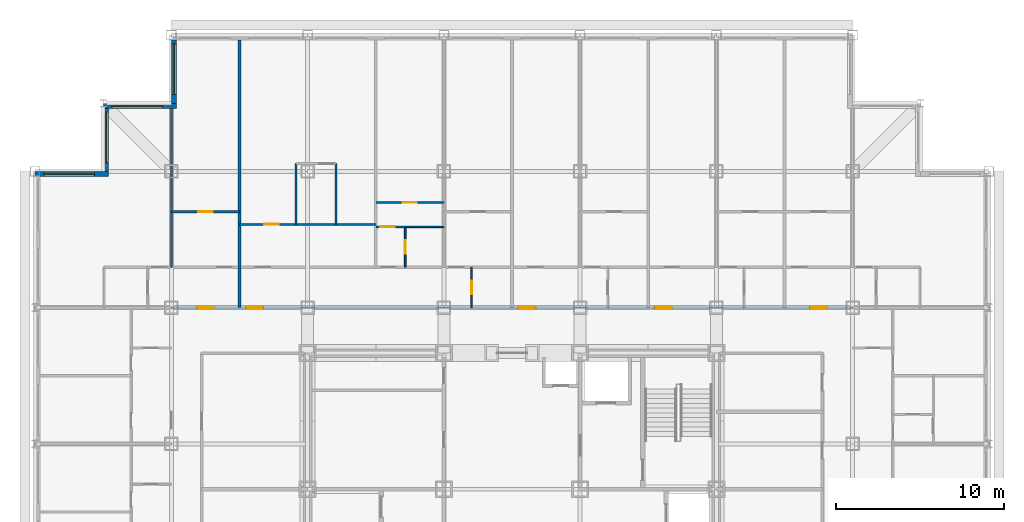
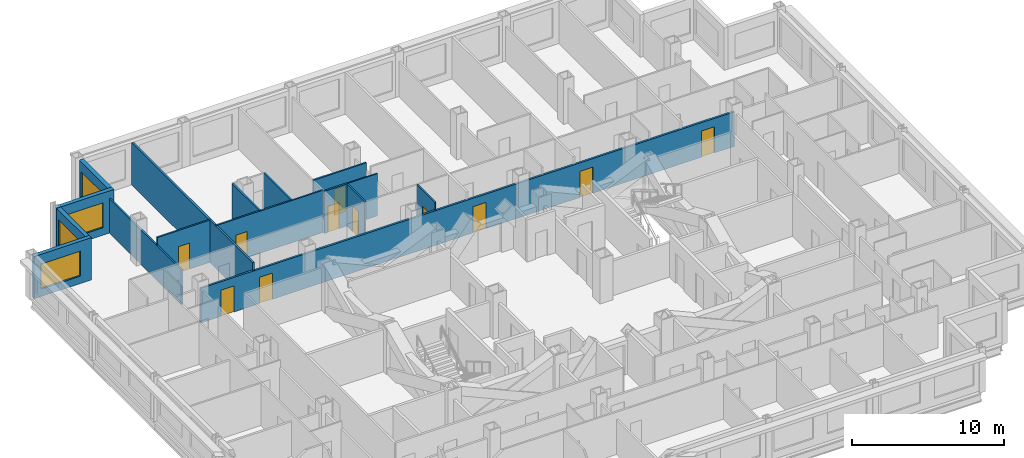
# One storey, part 9 of 12: 16 walls, 11 doors, 4 windows, 15 openings.
"""IFC4 building model written with IfcOpenShell, lengths in metres."""

from ifc_helpers import new_model, si_unit, direction, frame, frame_2d, origin, place, context, subcontext, project, spatial, rectangle, extrude, material, layer, layer_set, type_object, element, fill, save


model = new_model("IFC4")

# Units and contexts
model_context = context("Model", 3, precision=1e-05, world=origin(), true_north=direction((0.0, 1.0)))
body_context = subcontext(model_context, "Body", "Model", "MODEL_VIEW")
ifc_project = project(units=[si_unit("LENGTHUNIT", "METRE"), si_unit("AREAUNIT", "SQUARE_METRE"), si_unit("VOLUMEUNIT", "CUBIC_METRE"), si_unit("PLANEANGLEUNIT", "RADIAN"), si_unit("MASSUNIT", "GRAM", prefix="KILO")], contexts=[model_context])

# Site, building, storey
site_placement = place(None, origin())
site = spatial("IfcSite", under=ifc_project, at=site_placement, CompositionType="ELEMENT")
building_placement = place(site_placement, origin())
building = spatial("IfcBuilding", under=site, at=building_placement, Name="Kopane Lantern Tower", CompositionType="ELEMENT")
storey_placement = place(building_placement, frame((0.0, 0.0, 195.60009765625)))
storey = spatial("IfcBuildingStorey", under=building, at=storey_placement, Name="L50", CompositionType="ELEMENT", Elevation=195.60009765625)

# Wall
ifc_material_1 = material(Name="Gypsum board on steel studs", Category="steel")
ifc_layer_1 = layer(ifc_material_1, 0.1201171875)
ifc_layer_set_1 = layer_set([ifc_layer_1], Name="APARTMENT INTERNAL WALL 120")
wall_type_1 = type_object("IfcWallType", Name="APARTMENT INTERNAL WALL 120", PredefinedType="PARTITIONING", material=ifc_layer_set_1)
wall_1_placement = place(storey_placement, frame((8.10009765625, 45.60009765625, 0.0), z_axis=(0.0, 0.0, 1.0), x_axis=(0.0, 1.0, 0.0)))
element("IfcWall", 1, at=wall_1_placement, inside=storey, type_object=wall_type_1, Name="Apartment Internal Wall 120 L50", PredefinedType="PARTITIONING", context=body_context, shape_type="SweptSolid", body=[
    extrude(rectangle(XDim=9.449951171875, YDim=0.1201171875, at=frame_2d((4.72509765625, 0.0))), origin(), (0.0, 0.0, 1.0), 2.777587890625),
])

# Wall, opening, door
wall_2_placement = place(storey_placement, frame((20.25, 48.0, 0.0), z_axis=(0.0, 0.0, 1.0), x_axis=(1.0, 0.0, 0.0)))
wall_2 = element("IfcWall", 2, at=wall_2_placement, inside=storey, type_object=wall_type_1, Name="Apartment Internal Wall 120 L50", PredefinedType="PARTITIONING", context=body_context, shape_type="SweptSolid", body=[
    extrude(rectangle(XDim=1.760009765625, YDim=0.1201171875, at=frame_2d((0.8798828125, 0.0))), origin(), (0.0, 0.0, 1.0), 3.389892578125),
])
opening_1_placement = place(wall_2_placement, frame((0.27490234375, 0.0, 0.0)))
opening_1 = element("IfcOpeningElement", 3, at=opening_1_placement, cuts=wall_2, Name="Opening L50-076", PredefinedType="OPENING", context=body_context, shape_type="SweptSolid", body=[
    extrude(rectangle(XDim=0.85009765625, YDim=2.10009765625, at=frame_2d((0.425048828125, 1.050048828125))), frame((0.0, 0.070068359375, 0.0), z_axis=(0.0, -1.0, 0.0), x_axis=(1.0, 0.0, 0.0)), (0.0, 0.0, 1.0), 0.14013671875),
])
ifc_material_2 = material(Name="Timber door set", Category="wood")
door_type_1 = type_object("IfcDoorType", Name="DOOR D4 850x2100", OperationType="SINGLE_SWING_LEFT", PredefinedType="DOOR", material=ifc_material_2)
door_1_placement = place(opening_1_placement, origin())
door_1 = element("IfcDoor", 4, at=door_1_placement, inside=storey, type_object=door_type_1, Name="Door L50-076", OperationType="SINGLE_SWING_LEFT", OverallHeight=2.10009765625, OverallWidth=0.85009765625, PredefinedType="DOOR", context=body_context, shape_type="SweptSolid", body=[
    extrude(rectangle(XDim=0.85009765625, YDim=2.10009765625, at=frame_2d((0.425048828125, 1.050048828125))), frame((0.0, 0.02490234375, 0.0), z_axis=(0.0, -1.0, 0.0), x_axis=(1.0, 0.0, 0.0)), (0.0, 0.0, 1.0), 0.050048828125),
])
fill(opening_1, door_1)

wall_3_placement = place(storey_placement, frame((12.14990234375, 48.14990234375, 0.0), z_axis=(0.0, 0.0, 1.0), x_axis=(1.0, 0.0, 0.0)))
wall_3 = element("IfcWall", 5, at=wall_3_placement, inside=storey, type_object=wall_type_1, Name="Apartment Internal Wall 120 L50", PredefinedType="PARTITIONING", context=body_context, shape_type="SweptSolid", body=[
    extrude(rectangle(XDim=8.10009765625, YDim=0.1201171875, at=frame_2d((4.050048828125, 0.0))), origin(), (0.0, 0.0, 1.0), 3.389892578125),
])
opening_2_placement = place(wall_3_placement, frame((1.47509765625, 0.0, 0.0)))
opening_2 = element("IfcOpeningElement", 6, at=opening_2_placement, cuts=wall_3, Name="Opening L50-078", PredefinedType="OPENING", context=body_context, shape_type="SweptSolid", body=[
    extrude(rectangle(XDim=0.85009765625, YDim=2.10009765625, at=frame_2d((0.425048828125, 1.050048828125))), frame((0.0, 0.070068359375, 0.0), z_axis=(0.0, -1.0, 0.0), x_axis=(1.0, 0.0, 0.0)), (0.0, 0.0, 1.0), 0.14013671875),
])
door_2_placement = place(opening_2_placement, origin())
door_2 = element("IfcDoor", 7, at=door_2_placement, inside=storey, type_object=door_type_1, Name="Door L50-078", OperationType="SINGLE_SWING_LEFT", OverallHeight=2.10009765625, OverallWidth=0.85009765625, PredefinedType="DOOR", context=body_context, shape_type="SweptSolid", body=[
    extrude(rectangle(XDim=0.85009765625, YDim=2.10009765625, at=frame_2d((0.425048828125, 1.050048828125))), frame((0.0, 0.02490234375, 0.0), z_axis=(0.0, -1.0, 0.0), x_axis=(1.0, 0.0, 0.0)), (0.0, 0.0, 1.0), 0.050048828125),
])
fill(opening_2, door_2)

wall_4_placement = place(storey_placement, frame((20.25, 49.449951171875, 0.0), z_axis=(0.0, 0.0, 1.0), x_axis=(1.0, 0.0, 0.0)))
wall_4 = element("IfcWall", 8, at=wall_4_placement, inside=storey, type_object=wall_type_1, Name="Apartment Internal Wall 120 L50", PredefinedType="PARTITIONING", context=body_context, shape_type="SweptSolid", body=[
    extrude(rectangle(XDim=4.050048828125, YDim=0.1201171875, at=frame_2d((2.02490234375, 0.0))), origin(), (0.0, 0.0, 1.0), 3.389892578125),
])
opening_3_placement = place(wall_4_placement, frame((1.60009765625, 0.0, 0.0)))
opening_3 = element("IfcOpeningElement", 9, at=opening_3_placement, cuts=wall_4, Name="Opening L50-079", PredefinedType="OPENING", context=body_context, shape_type="SweptSolid", body=[
    extrude(rectangle(XDim=0.85009765625, YDim=2.10009765625, at=frame_2d((0.425048828125, 1.050048828125))), frame((0.0, 0.070068359375, 0.0), z_axis=(0.0, -1.0, 0.0), x_axis=(1.0, 0.0, 0.0)), (0.0, 0.0, 1.0), 0.14013671875),
])
door_3_placement = place(opening_3_placement, origin())
door_3 = element("IfcDoor", 10, at=door_3_placement, inside=storey, type_object=door_type_1, Name="Door L50-079", OperationType="SINGLE_SWING_RIGHT", OverallHeight=2.10009765625, OverallWidth=0.85009765625, PredefinedType="DOOR", context=body_context, shape_type="SweptSolid", body=[
    extrude(rectangle(XDim=0.85009765625, YDim=2.10009765625, at=frame_2d((0.425048828125, 1.050048828125))), frame((0.0, 0.02490234375, 0.0), z_axis=(0.0, -1.0, 0.0), x_axis=(1.0, 0.0, 0.0)), (0.0, 0.0, 1.0), 0.050048828125),
])
fill(opening_3, door_3)

wall_5_placement = place(storey_placement, frame((8.10009765625, 48.89990234375, 0.0), z_axis=(0.0, 0.0, 1.0), x_axis=(1.0, 0.0, 0.0)))
wall_5 = element("IfcWall", 11, at=wall_5_placement, inside=storey, type_object=wall_type_1, Name="Apartment Internal Wall 120 L50", PredefinedType="PARTITIONING", context=body_context, shape_type="SweptSolid", body=[
    extrude(rectangle(XDim=4.0498046875, YDim=0.1201171875, at=frame_2d((2.02490234375, 0.0))), origin(), (0.0, 0.0, 1.0), 3.389892578125),
])
opening_4_placement = place(wall_5_placement, frame((1.60009765625, 0.0, 0.0)))
opening_4 = element("IfcOpeningElement", 12, at=opening_4_placement, cuts=wall_5, Name="Opening L50-084", PredefinedType="OPENING", context=body_context, shape_type="SweptSolid", body=[
    extrude(rectangle(XDim=0.85009765625, YDim=2.10009765625, at=frame_2d((0.425048828125, 1.050048828125))), frame((0.0, 0.070068359375, 0.0), z_axis=(0.0, -1.0, 0.0), x_axis=(1.0, 0.0, 0.0)), (0.0, 0.0, 1.0), 0.14013671875),
])
door_4_placement = place(opening_4_placement, origin())
door_4 = element("IfcDoor", 13, at=door_4_placement, inside=storey, type_object=door_type_1, Name="Door L50-084", OperationType="SINGLE_SWING_RIGHT", OverallHeight=2.10009765625, OverallWidth=0.85009765625, PredefinedType="DOOR", context=body_context, shape_type="SweptSolid", body=[
    extrude(rectangle(XDim=0.85009765625, YDim=2.10009765625, at=frame_2d((0.425048828125, 1.050048828125))), frame((0.0, 0.02490234375, 0.0), z_axis=(0.0, -1.0, 0.0), x_axis=(1.0, 0.0, 0.0)), (0.0, 0.0, 1.0), 0.050048828125),
])
fill(opening_4, door_4)

# Walls
for number, where, z_axis, x_axis, name in (
    (14, (15.5, 48.14990234375, 0.0), (0.0, 0.0, 1.0), (0.0, 1.0, 0.0), "Apartment Internal Wall 120 L50"),
    (15, (17.89990234375, 48.14990234375, 0.0), (0.0, 0.0, 1.0), (0.0, 1.0, 0.0), "Apartment Internal Wall 120 L50"),
):
    element("IfcWall", number, at=place(storey_placement, frame(where, z_axis=z_axis, x_axis=x_axis)), inside=storey, type_object=wall_type_1, Name=name, PredefinedType="PARTITIONING", context=body_context, shape_type="SweptSolid", body=[
        extrude(rectangle(XDim=3.610107421875, YDim=0.1201171875, at=frame_2d((1.80517578125, 0.0))), origin(), (0.0, 0.0, 1.0), 3.389892578125),
    ])

# Wall, opening, door
ifc_material_3 = material(Name="Moisture-resistant board on steel studs", Category="steel")
ifc_layer_2 = layer(ifc_material_3, 0.10009765625)
ifc_layer_set_2 = layer_set([ifc_layer_2], Name="BATHROOM WALL 100")
wall_type_2 = type_object("IfcWallType", Name="BATHROOM WALL 100", PredefinedType="PARTITIONING", material=ifc_layer_set_2)
wall_6_placement = place(storey_placement, frame((25.949951171875, 43.199951171875, 0.0), z_axis=(0.0, 0.0, 1.0), x_axis=(0.0, 1.0, 0.0)))
wall_6 = element("IfcWall", 16, at=wall_6_placement, inside=storey, type_object=wall_type_2, Name="Bathroom Wall 100 L50", PredefinedType="PARTITIONING", context=body_context, shape_type="SweptSolid", body=[
    extrude(rectangle(XDim=2.400146484375, YDim=0.10009765625, at=frame_2d((1.2001953125, 0.0))), origin(), (0.0, 0.0, 1.0), 3.389892578125),
])
opening_5_placement = place(wall_6_placement, frame((0.800048828125, 0.0, 0.0)))
opening_5 = element("IfcOpeningElement", 17, at=opening_5_placement, cuts=wall_6, Name="Opening L50-026", PredefinedType="OPENING", context=body_context, shape_type="SweptSolid", body=[
    extrude(rectangle(XDim=0.800048828125, YDim=2.10009765625, at=frame_2d((0.39990234375, 1.050048828125))), frame((0.0, 0.06005859375, 0.0), z_axis=(0.0, -1.0, 0.0), x_axis=(1.0, 0.0, 0.0)), (0.0, 0.0, 1.0), 0.1201171875),
])
ifc_material_4 = material(Name="Timber door set", Category="wood")
door_type_2 = type_object("IfcDoorType", Name="DOOR D2 800x2100", OperationType="SINGLE_SWING_LEFT", PredefinedType="DOOR", material=ifc_material_4)
door_5_placement = place(opening_5_placement, origin())
door_5 = element("IfcDoor", 18, at=door_5_placement, inside=storey, type_object=door_type_2, Name="Door L50-026", OperationType="SINGLE_SWING_RIGHT", OverallHeight=2.10009765625, OverallWidth=0.800048828125, PredefinedType="DOOR", context=body_context, shape_type="SweptSolid", body=[
    extrude(rectangle(XDim=0.800048828125, YDim=2.10009765625, at=frame_2d((0.39990234375, 1.050048828125))), frame((0.0, 0.02490234375, 0.0), z_axis=(0.0, -1.0, 0.0), x_axis=(1.0, 0.0, 0.0)), (0.0, 0.0, 1.0), 0.050048828125),
])
fill(opening_5, door_5)

wall_7_placement = place(storey_placement, frame((22.0, 45.60009765625, 0.0), z_axis=(0.0, 0.0, 1.0), x_axis=(0.0, 1.0, 0.0)))
wall_7 = element("IfcWall", 19, at=wall_7_placement, inside=storey, type_object=wall_type_2, Name="Bathroom Wall 100 L50", PredefinedType="PARTITIONING", context=body_context, shape_type="SweptSolid", body=[
    extrude(rectangle(XDim=2.39990234375, YDim=0.10009765625, at=frame_2d((1.199951171875, 0.0))), origin(), (0.0, 0.0, 1.0), 3.389892578125),
])
opening_6_placement = place(wall_7_placement, frame((0.800048828125, 0.0, 0.0)))
opening_6 = element("IfcOpeningElement", 20, at=opening_6_placement, cuts=wall_7, Name="Opening L50-029", PredefinedType="OPENING", context=body_context, shape_type="SweptSolid", body=[
    extrude(rectangle(XDim=0.800048828125, YDim=2.10009765625, at=frame_2d((0.39990234375, 1.050048828125))), frame((0.0, 0.06005859375, 0.0), z_axis=(0.0, -1.0, 0.0), x_axis=(1.0, 0.0, 0.0)), (0.0, 0.0, 1.0), 0.1201171875),
])
door_6_placement = place(opening_6_placement, origin())
door_6 = element("IfcDoor", 21, at=door_6_placement, inside=storey, type_object=door_type_2, Name="Door L50-029", OperationType="SINGLE_SWING_RIGHT", OverallHeight=2.10009765625, OverallWidth=0.800048828125, PredefinedType="DOOR", context=body_context, shape_type="SweptSolid", body=[
    extrude(rectangle(XDim=0.800048828125, YDim=2.10009765625, at=frame_2d((0.39990234375, 1.050048828125))), frame((0.0, 0.02490234375, 0.0), z_axis=(0.0, -1.0, 0.0), x_axis=(1.0, 0.0, 0.0)), (0.0, 0.0, 1.0), 0.050048828125),
])
fill(opening_6, door_6)

# Wall
wall_8_placement = place(storey_placement, frame((22.0, 48.0, 0.0), z_axis=(0.0, 0.0, 1.0), x_axis=(1.0, 0.0, 0.0)))
element("IfcWall", 22, at=wall_8_placement, inside=storey, type_object=wall_type_2, Name="Bathroom Wall 100 L50", PredefinedType="PARTITIONING", context=body_context, shape_type="SweptSolid", body=[
    extrude(rectangle(XDim=2.300048828125, YDim=0.10009765625, at=frame_2d((1.14990234375, 0.0))), origin(), (0.0, 0.0, 1.0), 3.389892578125),
])

# Wall, openings, doors
ifc_material_5 = material(Name="Gypsum board on steel studs", Category="steel")
ifc_layer_3 = layer(ifc_material_5, 0.14990234375)
ifc_layer_set_3 = layer_set([ifc_layer_3], Name="CORRIDOR WALL 150 EI 60")
wall_type_3 = type_object("IfcWallType", Name="CORRIDOR WALL 150 EI 60", PredefinedType="PARTITIONING", material=ifc_layer_set_3)
wall_9_placement = place(storey_placement, frame((8.10009765625, 43.199951171875, 0.0), z_axis=(0.0, 0.0, 1.0), x_axis=(1.0, 0.0, 0.0)))
wall_9 = element("IfcWall", 23, at=wall_9_placement, inside=storey, type_object=wall_type_3, Name="Corridor Wall 150 Ei 60 L50", PredefinedType="PARTITIONING", context=body_context, shape_type="SweptSolid", body=[
    extrude(rectangle(XDim=40.5, YDim=0.14990234375, at=frame_2d((20.25, 0.0))), origin(), (0.0, 0.0, 1.0), 2.777587890625),
])
opening_7_placement = place(wall_9_placement, frame((4.449951171875, 0.0, 0.0)))
opening_7 = element("IfcOpeningElement", 24, at=opening_7_placement, cuts=wall_9, Name="Opening L50-027", PredefinedType="OPENING", context=body_context, shape_type="SweptSolid", body=[
    extrude(rectangle(XDim=1.0, YDim=2.10009765625, at=frame_2d((0.5, 1.050048828125))), frame((0.0, 0.0849609375, 0.0), z_axis=(0.0, -1.0, 0.0), x_axis=(1.0, 0.0, 0.0)), (0.0, 0.0, 1.0), 0.169921875),
])
opening_8_placement = place(wall_9_placement, frame((20.64990234375, 0.0, 0.0)))
opening_8 = element("IfcOpeningElement", 25, at=opening_8_placement, cuts=wall_9, Name="Opening L50-033", PredefinedType="OPENING", context=body_context, shape_type="SweptSolid", body=[
    extrude(rectangle(XDim=1.0, YDim=2.10009765625, at=frame_2d((0.5, 1.050048828125))), frame((0.0, 0.0849609375, 0.0), z_axis=(0.0, -1.0, 0.0), x_axis=(1.0, 0.0, 0.0)), (0.0, 0.0, 1.0), 0.169921875),
])
opening_9_placement = place(wall_9_placement, frame((28.75, 0.0, 0.0)))
opening_9 = element("IfcOpeningElement", 26, at=opening_9_placement, cuts=wall_9, Name="Opening L50-037", PredefinedType="OPENING", context=body_context, shape_type="SweptSolid", body=[
    extrude(rectangle(XDim=1.0, YDim=2.10009765625, at=frame_2d((0.5, 1.050048828125))), frame((0.0, 0.0849609375, 0.0), z_axis=(0.0, -1.0, 0.0), x_axis=(1.0, 0.0, 0.0)), (0.0, 0.0, 1.0), 0.169921875),
])
opening_10_placement = place(wall_9_placement, frame((37.97509765625, 0.0, 0.0)))
opening_10 = element("IfcOpeningElement", 27, at=opening_10_placement, cuts=wall_9, Name="Opening L50-068", PredefinedType="OPENING", context=body_context, shape_type="SweptSolid", body=[
    extrude(rectangle(XDim=1.0, YDim=2.10009765625, at=frame_2d((0.5, 1.050048828125))), frame((0.0, 0.0849609375, 0.0), z_axis=(0.0, -1.0, 0.0), x_axis=(1.0, 0.0, 0.0)), (0.0, 0.0, 1.0), 0.169921875),
])
opening_11_placement = place(wall_9_placement, frame((1.52490234375, 0.0, 0.0)))
opening_11 = element("IfcOpeningElement", 28, at=opening_11_placement, cuts=wall_9, Name="Opening L50-072", PredefinedType="OPENING", context=body_context, shape_type="SweptSolid", body=[
    extrude(rectangle(XDim=1.0, YDim=2.10009765625, at=frame_2d((0.5, 1.050048828125))), frame((0.0, 0.0849609375, 0.0), z_axis=(0.0, -1.0, 0.0), x_axis=(1.0, 0.0, 0.0)), (0.0, 0.0, 1.0), 0.169921875),
])
ifc_material_6 = material(Name="Steel door set", Category="steel")
door_type_3 = type_object("IfcDoorType", Name="DOOR D3 1000x2100 FD30S", OperationType="SINGLE_SWING_LEFT", PredefinedType="DOOR", material=ifc_material_6)
door_7_placement = place(opening_7_placement, origin())
door_7 = element("IfcDoor", 29, at=door_7_placement, inside=storey, type_object=door_type_3, Name="Door L50-027", OperationType="SINGLE_SWING_LEFT", OverallHeight=2.10009765625, OverallWidth=1.0, PredefinedType="DOOR", context=body_context, shape_type="SweptSolid", body=[
    extrude(rectangle(XDim=1.0, YDim=2.10009765625, at=frame_2d((0.5, 1.050048828125))), frame((0.0, 0.02490234375, 0.0), z_axis=(0.0, -1.0, 0.0), x_axis=(1.0, 0.0, 0.0)), (0.0, 0.0, 1.0), 0.050048828125),
])
fill(opening_7, door_7)
door_8_placement = place(opening_8_placement, origin())
door_8 = element("IfcDoor", 30, at=door_8_placement, inside=storey, type_object=door_type_3, Name="Door L50-033", OperationType="SINGLE_SWING_LEFT", OverallHeight=2.10009765625, OverallWidth=1.0, PredefinedType="DOOR", context=body_context, shape_type="SweptSolid", body=[
    extrude(rectangle(XDim=1.0, YDim=2.10009765625, at=frame_2d((0.5, 1.050048828125))), frame((0.0, 0.02490234375, 0.0), z_axis=(0.0, -1.0, 0.0), x_axis=(1.0, 0.0, 0.0)), (0.0, 0.0, 1.0), 0.050048828125),
])
fill(opening_8, door_8)
door_9_placement = place(opening_9_placement, origin())
door_9 = element("IfcDoor", 31, at=door_9_placement, inside=storey, type_object=door_type_3, Name="Door L50-037", OperationType="SINGLE_SWING_LEFT", OverallHeight=2.10009765625, OverallWidth=1.0, PredefinedType="DOOR", context=body_context, shape_type="SweptSolid", body=[
    extrude(rectangle(XDim=1.0, YDim=2.10009765625, at=frame_2d((0.5, 1.050048828125))), frame((0.0, 0.02490234375, 0.0), z_axis=(0.0, -1.0, 0.0), x_axis=(1.0, 0.0, 0.0)), (0.0, 0.0, 1.0), 0.050048828125),
])
fill(opening_9, door_9)
door_10_placement = place(opening_10_placement, origin())
door_10 = element("IfcDoor", 32, at=door_10_placement, inside=storey, type_object=door_type_3, Name="Door L50-068", OperationType="SINGLE_SWING_LEFT", OverallHeight=2.10009765625, OverallWidth=1.0, PredefinedType="DOOR", context=body_context, shape_type="SweptSolid", body=[
    extrude(rectangle(XDim=1.0, YDim=2.10009765625, at=frame_2d((0.5, 1.050048828125))), frame((0.0, 0.02490234375, 0.0), z_axis=(0.0, -1.0, 0.0), x_axis=(1.0, 0.0, 0.0)), (0.0, 0.0, 1.0), 0.050048828125),
])
fill(opening_10, door_10)
door_11_placement = place(opening_11_placement, origin())
door_11 = element("IfcDoor", 33, at=door_11_placement, inside=storey, type_object=door_type_3, Name="Door L50-072", OperationType="SINGLE_SWING_RIGHT", OverallHeight=2.10009765625, OverallWidth=1.0, PredefinedType="DOOR", context=body_context, shape_type="SweptSolid", body=[
    extrude(rectangle(XDim=1.0, YDim=2.10009765625, at=frame_2d((0.5, 1.050048828125))), frame((0.0, 0.02490234375, 0.0), z_axis=(0.0, -1.0, 0.0), x_axis=(1.0, 0.0, 0.0)), (0.0, 0.0, 1.0), 0.050048828125),
])
fill(opening_11, door_11)

# Wall
ifc_material_7 = material(Name="Gypsum board on steel studs", Category="steel")
ifc_layer_4 = layer(ifc_material_7, 0.14990234375)
ifc_layer_set_4 = layer_set([ifc_layer_4], Name="DEMISING WALL 150 EI 60")
wall_type_4 = type_object("IfcWallType", Name="DEMISING WALL 150 EI 60", PredefinedType="PARTITIONING", material=ifc_layer_set_4)
wall_10_placement = place(storey_placement, frame((12.14990234375, 43.199951171875, 0.0), z_axis=(0.0, 0.0, 1.0), x_axis=(0.0, 1.0, 0.0)))
element("IfcWall", 34, at=wall_10_placement, inside=storey, type_object=wall_type_4, Name="Demising Wall 150 Ei 60 L50", PredefinedType="PARTITIONING", context=body_context, shape_type="SweptSolid", body=[
    extrude(rectangle(XDim=15.900146484375, YDim=0.14990234375, at=frame_2d((7.9501953125, 0.0))), origin(), (0.0, 0.0, 1.0), 3.389892578125),
])

# Wall, opening, window
ifc_material_8 = material(Name="Terracotta rainscreen on light steel framing", Category="masonry")
ifc_layer_5 = layer(ifc_material_8, 0.300048828125)
ifc_layer_set_5 = layer_set([ifc_layer_5], Name="EXTERNAL WALL EW1 300 TERRACOTTA")
wall_type_5 = type_object("IfcWallType", Name="EXTERNAL WALL EW1 300 TERRACOTTA", PredefinedType="SOLIDWALL", material=ifc_layer_set_5)
wall_11_placement = place(storey_placement, frame((8.25, 59.10009765625, 0.0), z_axis=(0.0, 0.0, 1.0), x_axis=(0.0, -1.0, 0.0)))
wall_11 = element("IfcWall", 35, at=wall_11_placement, inside=storey, type_object=wall_type_5, Name="External wall W L50", PredefinedType="SOLIDWALL", context=body_context, shape_type="SweptSolid", body=[
    extrude(rectangle(XDim=3.75, YDim=0.300048828125, at=frame_2d((1.875, 0.0))), origin(), (0.0, 0.0, 1.0), 3.389892578125),
])
opening_12_placement = place(wall_11_placement, frame((0.22509765625, 0.0, 0.60009765625)))
opening_12 = element("IfcOpeningElement", 36, at=opening_12_placement, cuts=wall_11, Name="Opening WR300200", PredefinedType="OPENING", context=body_context, shape_type="SweptSolid", body=[
    extrude(rectangle(XDim=3.0, YDim=2.0, at=frame_2d((1.5, 1.0))), frame((0.0, 0.159912109375, 0.0), z_axis=(0.0, -1.0, 0.0), x_axis=(1.0, 0.0, 0.0)), (0.0, 0.0, 1.0), 0.320068359375),
])
ifc_material_9 = material(Name="Aluminium and clear glass", Category="aluminium")
window_type = type_object("IfcWindowType", Name="RIBBON WINDOW WR300200 3000x2000", PartitioningType="SINGLE_PANEL", PredefinedType="WINDOW", material=ifc_material_9)
window_1_placement = place(opening_12_placement, origin())
window_1 = element("IfcWindow", 37, at=window_1_placement, inside=storey, type_object=window_type, Name="Window W L50", OverallHeight=2.0, OverallWidth=3.0, PartitioningType="SINGLE_PANEL", PredefinedType="WINDOW", context=body_context, shape_type="SweptSolid", body=[
    extrude(rectangle(XDim=3.0, YDim=2.0, at=frame_2d((1.5, 1.0))), frame((0.0, 0.030029296875, 0.0), z_axis=(0.0, -1.0, 0.0), x_axis=(1.0, 0.0, 0.0)), (0.0, 0.0, 1.0), 0.06005859375),
])
fill(opening_12, window_1)

wall_12_placement = place(storey_placement, frame((8.39990234375, 55.199951171875, 0.0), z_axis=(0.0, 0.0, 1.0), x_axis=(-1.0, 0.0, 0.0)))
wall_12 = element("IfcWall", 38, at=wall_12_placement, inside=storey, type_object=wall_type_5, Name="External wall N L50", PredefinedType="SOLIDWALL", context=body_context, shape_type="SweptSolid", body=[
    extrude(rectangle(XDim=4.349853515625, YDim=0.300048828125, at=frame_2d((2.1748046875, 0.0))), origin(), (0.0, 0.0, 1.0), 3.389892578125),
])
opening_13_placement = place(wall_12_placement, frame((0.824951171875, 0.0, 0.60009765625)))
opening_13 = element("IfcOpeningElement", 39, at=opening_13_placement, cuts=wall_12, Name="Opening WR300200", PredefinedType="OPENING", context=body_context, shape_type="SweptSolid", body=[
    extrude(rectangle(XDim=3.0, YDim=2.0, at=frame_2d((1.5, 1.0))), frame((0.0, 0.159912109375, 0.0), z_axis=(0.0, -1.0, 0.0), x_axis=(1.0, 0.0, 0.0)), (0.0, 0.0, 1.0), 0.320068359375),
])
window_2_placement = place(opening_13_placement, origin())
window_2 = element("IfcWindow", 40, at=window_2_placement, inside=storey, type_object=window_type, Name="Window N L50", OverallHeight=2.0, OverallWidth=3.0, PartitioningType="SINGLE_PANEL", PredefinedType="WINDOW", context=body_context, shape_type="SweptSolid", body=[
    extrude(rectangle(XDim=3.0, YDim=2.0, at=frame_2d((1.5, 1.0))), frame((0.0, 0.030029296875, 0.0), z_axis=(0.0, -1.0, 0.0), x_axis=(1.0, 0.0, 0.0)), (0.0, 0.0, 1.0), 0.06005859375),
])
fill(opening_13, window_2)

wall_13_placement = place(storey_placement, frame((4.199951171875, 55.050048828125, 0.0), z_axis=(0.0, 0.0, 1.0), x_axis=(0.0, -1.0, 0.0)))
wall_13 = element("IfcWall", 41, at=wall_13_placement, inside=storey, type_object=wall_type_5, Name="External wall W L50", PredefinedType="SOLIDWALL", context=body_context, shape_type="SweptSolid", body=[
    extrude(rectangle(XDim=3.75, YDim=0.300048828125, at=frame_2d((1.875, 0.0))), origin(), (0.0, 0.0, 1.0), 3.389892578125),
])
opening_14_placement = place(wall_13_placement, frame((0.22509765625, 0.0, 0.60009765625)))
opening_14 = element("IfcOpeningElement", 42, at=opening_14_placement, cuts=wall_13, Name="Opening WR300200", PredefinedType="OPENING", context=body_context, shape_type="SweptSolid", body=[
    extrude(rectangle(XDim=3.0, YDim=2.0, at=frame_2d((1.5, 1.0))), frame((0.0, 0.159912109375, 0.0), z_axis=(0.0, -1.0, 0.0), x_axis=(1.0, 0.0, 0.0)), (0.0, 0.0, 1.0), 0.320068359375),
])
window_3_placement = place(opening_14_placement, origin())
window_3 = element("IfcWindow", 43, at=window_3_placement, inside=storey, type_object=window_type, Name="Window W L50", OverallHeight=2.0, OverallWidth=3.0, PartitioningType="SINGLE_PANEL", PredefinedType="WINDOW", context=body_context, shape_type="SweptSolid", body=[
    extrude(rectangle(XDim=3.0, YDim=2.0, at=frame_2d((1.5, 1.0))), frame((0.0, 0.030029296875, 0.0), z_axis=(0.0, -1.0, 0.0), x_axis=(1.0, 0.0, 0.0)), (0.0, 0.0, 1.0), 0.06005859375),
])
fill(opening_14, window_3)

wall_14_placement = place(storey_placement, frame((4.35009765625, 51.14990234375, 0.0), z_axis=(0.0, 0.0, 1.0), x_axis=(-1.0, 0.0, 0.0)))
wall_14 = element("IfcWall", 44, at=wall_14_placement, inside=storey, type_object=wall_type_5, Name="External wall N L50", PredefinedType="SOLIDWALL", context=body_context, shape_type="SweptSolid", body=[
    extrude(rectangle(XDim=4.35009765625, YDim=0.300048828125, at=frame_2d((2.175048828125, 0.0))), origin(), (0.0, 0.0, 1.0), 3.389892578125),
])
opening_15_placement = place(wall_14_placement, frame((0.824951171875, 0.0, 0.60009765625)))
opening_15 = element("IfcOpeningElement", 45, at=opening_15_placement, cuts=wall_14, Name="Opening WR300200", PredefinedType="OPENING", context=body_context, shape_type="SweptSolid", body=[
    extrude(rectangle(XDim=3.0, YDim=2.0, at=frame_2d((1.5, 1.0))), frame((0.0, 0.159912109375, 0.0), z_axis=(0.0, -1.0, 0.0), x_axis=(1.0, 0.0, 0.0)), (0.0, 0.0, 1.0), 0.320068359375),
])
window_4_placement = place(opening_15_placement, origin())
window_4 = element("IfcWindow", 46, at=window_4_placement, inside=storey, type_object=window_type, Name="Window N L50", OverallHeight=2.0, OverallWidth=3.0, PartitioningType="SINGLE_PANEL", PredefinedType="WINDOW", context=body_context, shape_type="SweptSolid", body=[
    extrude(rectangle(XDim=3.0, YDim=2.0, at=frame_2d((1.5, 1.0))), frame((0.0, 0.030029296875, 0.0), z_axis=(0.0, -1.0, 0.0), x_axis=(1.0, 0.0, 0.0)), (0.0, 0.0, 1.0), 0.06005859375),
])
fill(opening_15, window_4)

save(model, "model.ifc")
